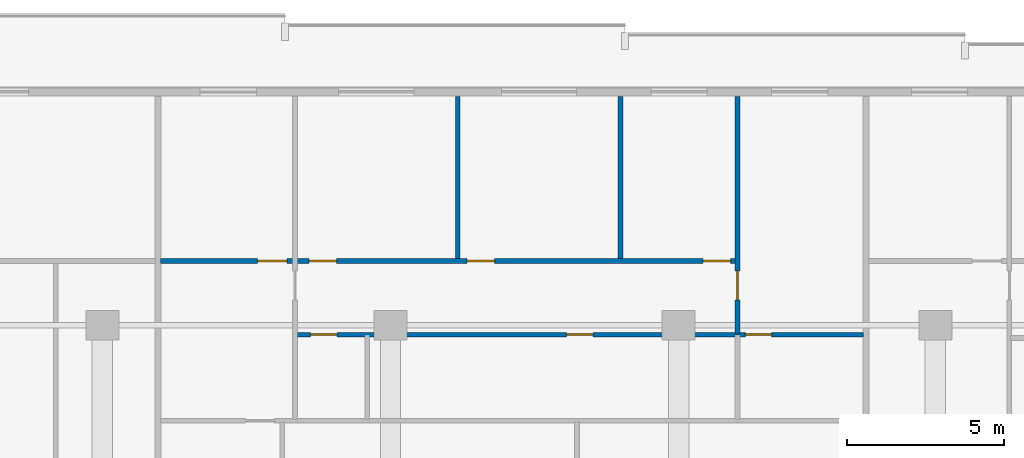
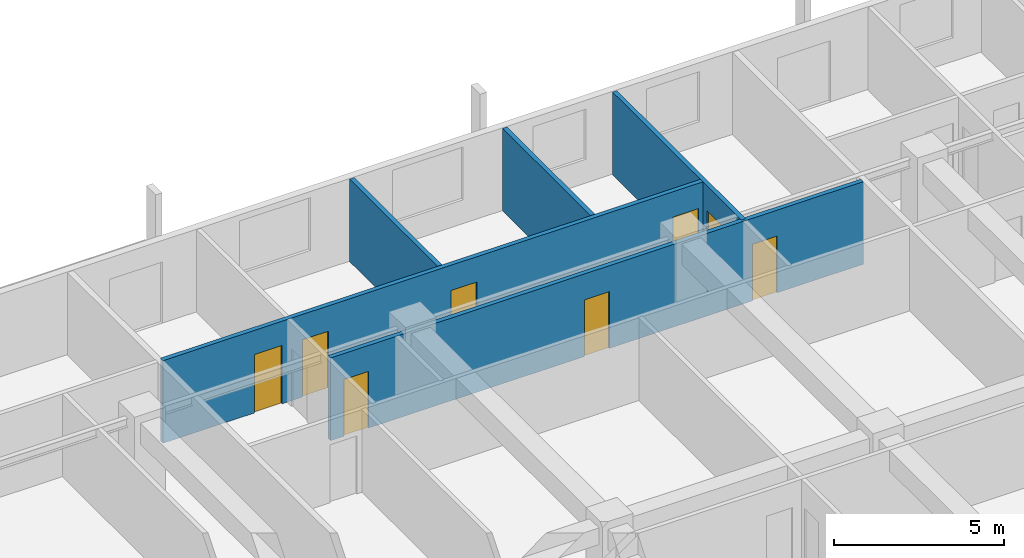
# One storey, part 15 of 23: 8 doors, 5 walls, 8 openings.
"""IFC4 building model written with IfcOpenShell, lengths in metres."""

from ifc_helpers import new_model, si_unit, direction, frame, frame_2d, origin, place, context, subcontext, project, spatial, rectangle, extrude, material, layer, layer_set, type_object, element, fill, save


model = new_model("IFC4")

# Units and contexts
model_context = context("Model", 3, precision=1e-05, world=origin(), true_north=direction((0.0, 1.0)))
body_context = subcontext(model_context, "Body", "Model", "MODEL_VIEW")
ifc_project = project(units=[si_unit("LENGTHUNIT", "METRE"), si_unit("AREAUNIT", "SQUARE_METRE"), si_unit("VOLUMEUNIT", "CUBIC_METRE"), si_unit("PLANEANGLEUNIT", "RADIAN"), si_unit("MASSUNIT", "GRAM", prefix="KILO")], contexts=[model_context])

# Site, building, storey
site_placement = place(None, origin())
site = spatial("IfcSite", under=ifc_project, at=site_placement, CompositionType="ELEMENT")
building_placement = place(site_placement, origin())
building = spatial("IfcBuilding", under=site, at=building_placement, Name="Korimba Cascade Residences", CompositionType="ELEMENT")
storey_placement = place(building_placement, frame((0.0, 0.0, 53.25)))
storey = spatial("IfcBuildingStorey", under=building, at=storey_placement, Name="L14", CompositionType="ELEMENT", Elevation=53.25)

# Walls
ifc_material_1 = material(Name="Insulated Acoustic Stud Partition", Category="gypsum")
ifc_layer = layer(ifc_material_1, 0.14990234375)
ifc_layer_set = layer_set([ifc_layer], Name="Insulated Acoustic Stud Partition")
wall_type = type_object("IfcWallType", Name="WAL-PART-150", PredefinedType="PARTITIONING", material=ifc_layer_set)
for number, where, z_axis, x_axis, name in (
    (1, (105.04736328125, 93.330078125, 0.0), (0.0, 0.0, 1.0), (0.0, 1.0, 0.0), "L14 Partition Wall WAL-L14-T1-U03-VB2"),
    (2, (110.247314453125, 93.330078125, 0.0), (0.0, 0.0, 1.0), (0.0, 1.0, 0.0), "L14 Partition Wall WAL-L14-T1-U03-VB3"),
):
    element("IfcWall", number, at=place(storey_placement, frame(where, z_axis=z_axis, x_axis=x_axis)), inside=storey, type_object=wall_type, Name=name, PredefinedType="PARTITIONING", context=body_context, shape_type="SweptSolid", body=[
        extrude(rectangle(XDim=5.169921875, YDim=0.14990234375, at=frame_2d((2.5849609375, 0.0))), origin(), (0.0, 0.0, 1.0), 2.969970703125),
    ])

# Wall, opening, door
wall_1_placement = place(storey_placement, frame((113.97998046875, 90.919921875, 0.0), z_axis=(0.0, 0.0, 1.0), x_axis=(0.0, 1.0, 0.0)))
wall_1 = element("IfcWall", 3, at=wall_1_placement, inside=storey, type_object=wall_type, Name="L14 Partition Wall WAL-L14-T1-U03-V2FULL", PredefinedType="PARTITIONING", context=body_context, shape_type="SweptSolid", body=[
    extrude(rectangle(XDim=7.580078125, YDim=0.14990234375, at=frame_2d((3.7900390625, 0.0))), origin(), (0.0, 0.0, 1.0), 2.969970703125),
])
opening_1_placement = place(wall_1_placement, frame((1.090087890625, 0.0, 0.0)))
opening_1 = element("IfcOpeningElement", 4, at=opening_1_placement, cuts=wall_1, Name="Opening D-IN1", PredefinedType="OPENING", context=body_context, shape_type="SweptSolid", body=[
    extrude(rectangle(XDim=0.919921875, YDim=2.080078125, at=frame_2d((0.4599609375, 1.0400390625))), frame((0.0, 0.0849609375, 0.0), z_axis=(0.0, -1.0, 0.0), x_axis=(1.0, 0.0, 0.0)), (0.0, 0.0, 1.0), 0.169921875),
])
ifc_material_2 = material(Name="Acoustic Timber Living Door", Category="wood")
door_type_1 = type_object("IfcDoorType", Name="DR-INT-920", OperationType="NOTDEFINED", PredefinedType="DOOR", material=ifc_material_2)
door_1_placement = place(opening_1_placement, origin())
door_1 = element("IfcDoor", 5, at=door_1_placement, inside=storey, type_object=door_type_1, Name="L14-T1-U03 Master Bedroom Door", OperationType="SINGLE_SWING_RIGHT", OverallHeight=2.080078125, OverallWidth=0.919921875, PredefinedType="DOOR", context=body_context, shape_type="SweptSolid", body=[
    extrude(rectangle(XDim=0.919921875, YDim=2.080078125, at=frame_2d((0.4599609375, 1.0400390625))), frame((0.0, 0.02490234375, 0.0), z_axis=(0.0, -1.0, 0.0), x_axis=(1.0, 0.0, 0.0)), (0.0, 0.0, 1.0), 0.050048828125),
])
fill(opening_1, door_1)

# Wall, openings, doors
wall_2_placement = place(storey_placement, frame((99.88720703125, 90.89990234375, 0.0), z_axis=(0.0, 0.0, 1.0), x_axis=(1.0, 0.0, 0.0)))
wall_2 = element("IfcWall", 6, at=wall_2_placement, inside=storey, type_object=wall_type, Name="L14 Partition Wall WAL-L14-T1-U03-HWALL", PredefinedType="PARTITIONING", context=body_context, shape_type="SweptSolid", body=[
    extrude(rectangle(XDim=18.115966796875, YDim=0.14990234375, at=frame_2d((9.05810546875, 0.0))), origin(), (0.0, 0.0, 1.0), 2.969970703125),
])
opening_2_placement = place(wall_2_placement, frame((0.461181640625, 0.0, 0.0)))
opening_2 = element("IfcOpeningElement", 7, at=opening_2_placement, cuts=wall_2, Name="Opening D-BT1", PredefinedType="OPENING", context=body_context, shape_type="SweptSolid", body=[
    extrude(rectangle(XDim=0.840087890625, YDim=2.0400390625, at=frame_2d((0.419921875, 1.02001953125))), frame((0.0, 0.0849609375, 0.0), z_axis=(0.0, -1.0, 0.0), x_axis=(1.0, 0.0, 0.0)), (0.0, 0.0, 1.0), 0.169921875),
])
opening_3_placement = place(wall_2_placement, frame((8.637939453125, 0.0, 0.0)))
opening_3 = element("IfcOpeningElement", 8, at=opening_3_placement, cuts=wall_2, Name="Opening D-BT1", PredefinedType="OPENING", context=body_context, shape_type="SweptSolid", body=[
    extrude(rectangle(XDim=0.840087890625, YDim=2.0400390625, at=frame_2d((0.419921875, 1.02001953125))), frame((0.0, 0.0849609375, 0.0), z_axis=(0.0, -1.0, 0.0), x_axis=(1.0, 0.0, 0.0)), (0.0, 0.0, 1.0), 0.169921875),
])
opening_4_placement = place(wall_2_placement, frame((14.3427734375, 0.0, 0.0)))
opening_4 = element("IfcOpeningElement", 9, at=opening_4_placement, cuts=wall_2, Name="Opening D-BT1", PredefinedType="OPENING", context=body_context, shape_type="SweptSolid", body=[
    extrude(rectangle(XDim=0.840087890625, YDim=2.0400390625, at=frame_2d((0.419921875, 1.02001953125))), frame((0.0, 0.0849609375, 0.0), z_axis=(0.0, -1.0, 0.0), x_axis=(1.0, 0.0, 0.0)), (0.0, 0.0, 1.0), 0.169921875),
])
ifc_material_3 = material(Name="Moisture-Resistant Bathroom Timber Door", Category="wood")
door_type_2 = type_object("IfcDoorType", Name="DR-INT-850", OperationType="NOTDEFINED", PredefinedType="DOOR", material=ifc_material_3)
door_2_placement = place(opening_2_placement, origin())
door_2 = element("IfcDoor", 10, at=door_2_placement, inside=storey, type_object=door_type_2, Name="L14-T1-U03 Family Bathroom Door", OperationType="SINGLE_SWING_LEFT", OverallHeight=2.0400390625, OverallWidth=0.840087890625, PredefinedType="DOOR", context=body_context, shape_type="SweptSolid", body=[
    extrude(rectangle(XDim=0.840087890625, YDim=2.0400390625, at=frame_2d((0.419921875, 1.02001953125))), frame((0.0, 0.02490234375, 0.0), z_axis=(0.0, -1.0, 0.0), x_axis=(1.0, 0.0, 0.0)), (0.0, 0.0, 1.0), 0.050048828125),
])
fill(opening_2, door_2)
door_3_placement = place(opening_3_placement, origin())
door_3 = element("IfcDoor", 11, at=door_3_placement, inside=storey, type_object=door_type_2, Name="L14-T1-U03 Dressing Room Door", OperationType="SINGLE_SWING_RIGHT", OverallHeight=2.0400390625, OverallWidth=0.840087890625, PredefinedType="DOOR", context=body_context, shape_type="SweptSolid", body=[
    extrude(rectangle(XDim=0.840087890625, YDim=2.0400390625, at=frame_2d((0.419921875, 1.02001953125))), frame((0.0, 0.02490234375, 0.0), z_axis=(0.0, -1.0, 0.0), x_axis=(1.0, 0.0, 0.0)), (0.0, 0.0, 1.0), 0.050048828125),
])
fill(opening_3, door_3)
door_4_placement = place(opening_4_placement, origin())
door_4 = element("IfcDoor", 12, at=door_4_placement, inside=storey, type_object=door_type_2, Name="L14-T1-U03 En-Suite Door", OperationType="SINGLE_SWING_LEFT", OverallHeight=2.0400390625, OverallWidth=0.840087890625, PredefinedType="DOOR", context=body_context, shape_type="SweptSolid", body=[
    extrude(rectangle(XDim=0.840087890625, YDim=2.0400390625, at=frame_2d((0.419921875, 1.02001953125))), frame((0.0, 0.02490234375, 0.0), z_axis=(0.0, -1.0, 0.0), x_axis=(1.0, 0.0, 0.0)), (0.0, 0.0, 1.0), 0.050048828125),
])
fill(opening_4, door_4)

wall_3_placement = place(storey_placement, frame((95.557373046875, 93.25, 0.0), z_axis=(0.0, 0.0, 1.0), x_axis=(1.0, 0.0, 0.0)))
wall_3 = element("IfcWall", 13, at=wall_3_placement, inside=storey, type_object=wall_type, Name="L14 Partition Wall WAL-L14-T1-U03-HZ", PredefinedType="PARTITIONING", context=body_context, shape_type="SweptSolid", body=[
    extrude(rectangle(XDim=18.422607421875, YDim=0.14990234375, at=frame_2d((9.21142578125, 0.0))), origin(), (0.0, 0.0, 1.0), 2.969970703125),
])
opening_5_placement = place(wall_3_placement, frame((3.10009765625, 0.0, 0.0)))
opening_5 = element("IfcOpeningElement", 14, at=opening_5_placement, cuts=wall_3, Name="Opening D-IN0", PredefinedType="OPENING", context=body_context, shape_type="SweptSolid", body=[
    extrude(rectangle(XDim=0.93994140625, YDim=2.10009765625, at=frame_2d((0.469970703125, 1.050048828125))), frame((0.0, 0.0849609375, 0.0), z_axis=(0.0, -1.0, 0.0), x_axis=(1.0, 0.0, 0.0)), (0.0, 0.0, 1.0), 0.169921875),
])
opening_6_placement = place(wall_3_placement, frame((4.742919921875, 0.0, 0.0)))
opening_6 = element("IfcOpeningElement", 15, at=opening_6_placement, cuts=wall_3, Name="Opening D-IN2", PredefinedType="OPENING", context=body_context, shape_type="SweptSolid", body=[
    extrude(rectangle(XDim=0.8798828125, YDim=2.06005859375, at=frame_2d((0.43994140625, 1.030029296875))), frame((0.0, 0.0849609375, 0.0), z_axis=(0.0, -1.0, 0.0), x_axis=(1.0, 0.0, 0.0)), (0.0, 0.0, 1.0), 0.169921875),
])
opening_7_placement = place(wall_3_placement, frame((9.78759765625, 0.0, 0.0)))
opening_7 = element("IfcOpeningElement", 16, at=opening_7_placement, cuts=wall_3, Name="Opening D-IN2", PredefinedType="OPENING", context=body_context, shape_type="SweptSolid", body=[
    extrude(rectangle(XDim=0.8798828125, YDim=2.06005859375, at=frame_2d((0.43994140625, 1.030029296875))), frame((0.0, 0.0849609375, 0.0), z_axis=(0.0, -1.0, 0.0), x_axis=(1.0, 0.0, 0.0)), (0.0, 0.0, 1.0), 0.169921875),
])
opening_8_placement = place(wall_3_placement, frame((17.32275390625, 0.0, 0.0)))
opening_8 = element("IfcOpeningElement", 17, at=opening_8_placement, cuts=wall_3, Name="Opening D-IN2", PredefinedType="OPENING", context=body_context, shape_type="SweptSolid", body=[
    extrude(rectangle(XDim=0.8798828125, YDim=2.06005859375, at=frame_2d((0.43994140625, 1.030029296875))), frame((0.0, 0.0849609375, 0.0), z_axis=(0.0, -1.0, 0.0), x_axis=(1.0, 0.0, 0.0)), (0.0, 0.0, 1.0), 0.169921875),
])
ifc_material_4 = material(Name="Acoustic Timber Bedroom Door", Category="wood")
door_type_3 = type_object("IfcDoorType", Name="DR-INT-880", OperationType="NOTDEFINED", PredefinedType="DOOR", material=ifc_material_4)
door_5_placement = place(opening_6_placement, origin())
door_5 = element("IfcDoor", 18, at=door_5_placement, inside=storey, type_object=door_type_3, Name="L14-T1-U03 Bedroom 2 Door", OperationType="SINGLE_SWING_RIGHT", OverallHeight=2.06005859375, OverallWidth=0.8798828125, PredefinedType="DOOR", context=body_context, shape_type="SweptSolid", body=[
    extrude(rectangle(XDim=0.8798828125, YDim=2.06005859375, at=frame_2d((0.43994140625, 1.030029296875))), frame((0.0, 0.02490234375, 0.0), z_axis=(0.0, -1.0, 0.0), x_axis=(1.0, 0.0, 0.0)), (0.0, 0.0, 1.0), 0.050048828125),
])
fill(opening_6, door_5)
door_6_placement = place(opening_7_placement, origin())
door_6 = element("IfcDoor", 19, at=door_6_placement, inside=storey, type_object=door_type_3, Name="L14-T1-U03 Bedroom 3 Door", OperationType="SINGLE_SWING_LEFT", OverallHeight=2.06005859375, OverallWidth=0.8798828125, PredefinedType="DOOR", context=body_context, shape_type="SweptSolid", body=[
    extrude(rectangle(XDim=0.8798828125, YDim=2.06005859375, at=frame_2d((0.43994140625, 1.030029296875))), frame((0.0, 0.02490234375, 0.0), z_axis=(0.0, -1.0, 0.0), x_axis=(1.0, 0.0, 0.0)), (0.0, 0.0, 1.0), 0.050048828125),
])
fill(opening_7, door_6)
door_7_placement = place(opening_8_placement, origin())
door_7 = element("IfcDoor", 20, at=door_7_placement, inside=storey, type_object=door_type_3, Name="L14-T1-U03 Study Door", OperationType="SINGLE_SWING_RIGHT", OverallHeight=2.06005859375, OverallWidth=0.8798828125, PredefinedType="DOOR", context=body_context, shape_type="SweptSolid", body=[
    extrude(rectangle(XDim=0.8798828125, YDim=2.06005859375, at=frame_2d((0.43994140625, 1.030029296875))), frame((0.0, 0.02490234375, 0.0), z_axis=(0.0, -1.0, 0.0), x_axis=(1.0, 0.0, 0.0)), (0.0, 0.0, 1.0), 0.050048828125),
])
fill(opening_8, door_7)
ifc_material_5 = material(Name="Acoustic Timber Living Archway Door", Category="wood")
door_type_4 = type_object("IfcDoorType", Name="DR-INT-950", OperationType="NOTDEFINED", PredefinedType="DOOR", material=ifc_material_5)
door_8_placement = place(opening_5_placement, origin())
door_8 = element("IfcDoor", 21, at=door_8_placement, inside=storey, type_object=door_type_4, Name="L14-T1-U03 Living Room Door", OperationType="SINGLE_SWING_LEFT", OverallHeight=2.10009765625, OverallWidth=0.93994140625, PredefinedType="DOOR", context=body_context, shape_type="SweptSolid", body=[
    extrude(rectangle(XDim=0.93994140625, YDim=2.10009765625, at=frame_2d((0.469970703125, 1.050048828125))), frame((0.0, 0.02490234375, 0.0), z_axis=(0.0, -1.0, 0.0), x_axis=(1.0, 0.0, 0.0)), (0.0, 0.0, 1.0), 0.050048828125),
])
fill(opening_5, door_8)

save(model, "model.ifc")
